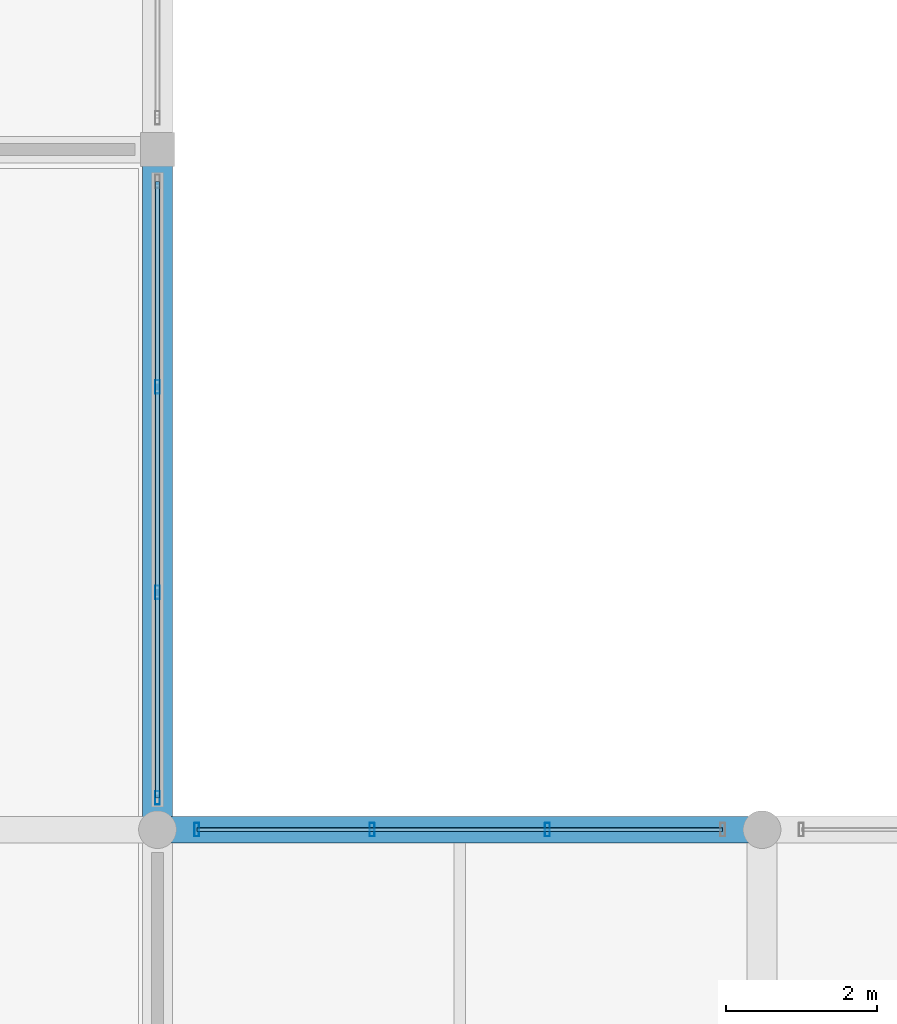
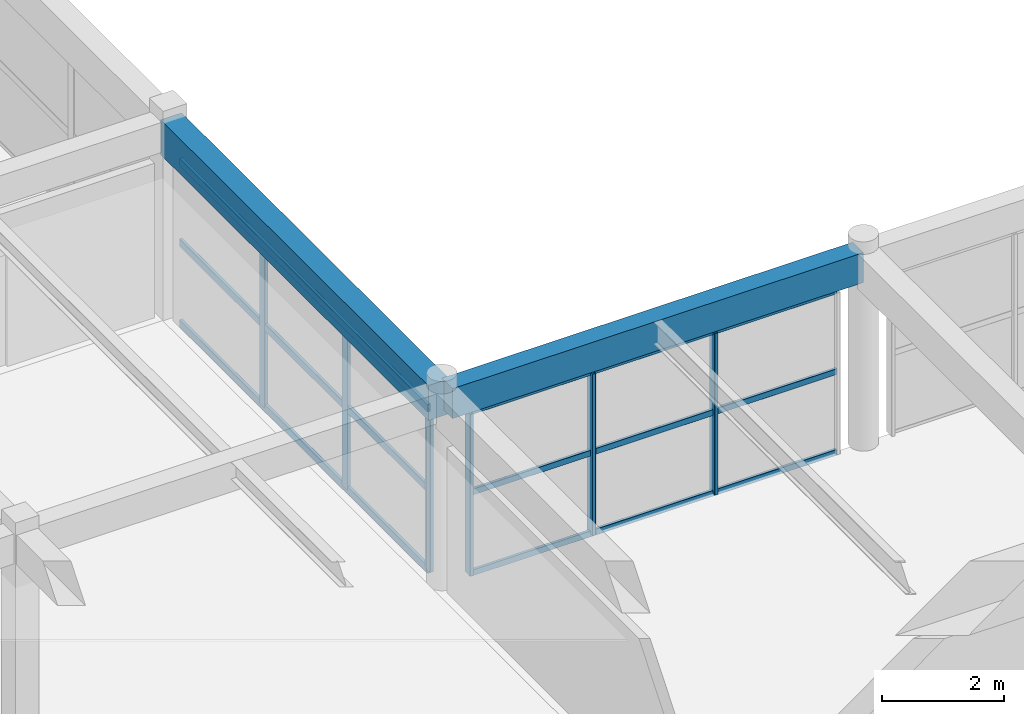
# One storey, part 43 of 126: 12 members, 2 beams, 2 elements without a shape of their own.
"""IFC4 building model written with IfcOpenShell, lengths in metres."""

from ifc_helpers import new_model, si_unit, direction, frame, origin, origin_2d, place, context, subcontext, project, spatial, rectangle, hollow_rectangle, extrude, material, material_profile, profile_set, type_object, element, aggregate, save


model = new_model("IFC4")

# Units and contexts
model_context = context("Model", 3, precision=1e-05, world=origin(), true_north=direction((0.0, 1.0)))
body_context = subcontext(model_context, "Body", "Model", "MODEL_VIEW")
ifc_project = project(units=[si_unit("LENGTHUNIT", "METRE"), si_unit("AREAUNIT", "SQUARE_METRE"), si_unit("VOLUMEUNIT", "CUBIC_METRE"), si_unit("PLANEANGLEUNIT", "RADIAN"), si_unit("MASSUNIT", "GRAM", prefix="KILO")], contexts=[model_context])

# Site, building, storey
site_placement = place(None, origin())
site = spatial("IfcSite", under=ifc_project, at=site_placement, CompositionType="ELEMENT")
building_placement = place(site_placement, origin())
building = spatial("IfcBuilding", under=site, at=building_placement, Name="Varnabhumi Central Station", CompositionType="ELEMENT")
storey_placement = place(building_placement, frame((0.0, 0.0, 16.199951171875)))
storey = spatial("IfcBuildingStorey", under=building, at=storey_placement, Name="L03", CompositionType="ELEMENT", Elevation=16.199951171875)

# Beams
ifc_material_1 = material(Name="Concrete M40", Category="concrete")
ifc_material_profile_1 = material_profile(ifc_material_1, rectangle(XDim=0.35009765625, YDim=0.60009765625, at=origin_2d()), Name="Concrete M40", Category="concrete")
ifc_profile_set_1 = profile_set([ifc_material_profile_1], Name="Concrete M40")
beam_type_1 = type_object("IfcBeamType", Name="BM-RC-350x600", PredefinedType="BEAM", material=ifc_profile_set_1)
beam_1_placement = place(storey_placement, frame((48.10009765625, 89.0, 3.650146484375), z_axis=(1.0, 0.0, 0.0), x_axis=(0.0, 1.0, 0.0)))
element("IfcBeam", 1, at=beam_1_placement, inside=storey, type_object=beam_type_1, Name="Beam L03-L:7-8", PredefinedType="BEAM", context=body_context, shape_type="SweptSolid", body=[
    extrude(rectangle(XDim=0.35009765625, YDim=0.60009765625, at=origin_2d()), origin(), (0.0, 0.0, 1.0), 7.7998046875),
])
ifc_material_profile_2 = material_profile(ifc_material_1, rectangle(XDim=0.39990234375, YDim=0.699951171875, at=origin_2d()), Name="Concrete M40", Category="concrete")
ifc_profile_set_2 = profile_set([ifc_material_profile_2], Name="Concrete M40")
beam_type_2 = type_object("IfcBeamType", Name="BM-RC-700x400", PredefinedType="BEAM", material=ifc_profile_set_2)
beam_2_placement = place(storey_placement, frame((48.0, 89.10009765625, 3.60009765625), z_axis=(0.0, 1.0, 0.0), x_axis=(-1.0, 0.0, 0.0)))
element("IfcBeam", 2, at=beam_2_placement, inside=storey, type_object=beam_type_2, Name="Beam L03-7:L-M", PredefinedType="BEAM", context=body_context, shape_type="SweptSolid", body=[
    extrude(rectangle(XDim=0.39990234375, YDim=0.699951171875, at=origin_2d()), origin(), (0.0, 0.0, 1.0), 8.7998046875),
])

# Curtain wall, members
ifc_material_2 = material(Name="Anodised aluminium 6063-T6", Category="aluminium")
curtain_wall_type = type_object("IfcCurtainWallType", Name="CW-PATIO-LOGGIA-L3", PredefinedType="NOTDEFINED", material=ifc_material_2)
curtain_wall_1_placement = place(storey_placement, origin())
curtain_wall_1 = element("IfcCurtainWall", 3, at=curtain_wall_1_placement, inside=storey, type_object=curtain_wall_type, Name="Curtain Wall CW-NP3E1", PredefinedType="NOTDEFINED")
ifc_material_profile_3 = material_profile(ifc_material_2, hollow_rectangle(XDim=0.06494140625, YDim=0.179931640625, WallThickness=0.00390625, InnerFilletRadius=0.001953125, OuterFilletRadius=0.006103515625, at=origin_2d()), Name="Anodised aluminium 6063-T6", Category="aluminium")
ifc_profile_set_3 = profile_set([ifc_material_profile_3], Name="Anodised aluminium 6063-T6")
member_type_1 = type_object("IfcMemberType", Name="CW-MUL-180", PredefinedType="MULLION", material=ifc_profile_set_3)
member_1_placement = place(storey_placement, frame((48.0, 89.419921875, 0.0), z_axis=(0.0, 0.0, 1.0), x_axis=(1.0, 0.0, 0.0)))
member_1 = element("IfcMember", 4, at=member_1_placement, type_object=member_type_1, Name="Curtain Wall Mullion CW-NP3E1-M1", PredefinedType="MULLION", context=body_context, shape_type="SweptSolid", body=[
    extrude(hollow_rectangle(XDim=0.06494140625, YDim=0.179931640625, WallThickness=0.00390625, InnerFilletRadius=0.001953125, OuterFilletRadius=0.006103515625, at=origin_2d()), origin(), (0.0, 0.0, 1.0), 3.239990234375),
])
member_2_placement = place(storey_placement, frame((48.0, 92.139892578125, 0.0), z_axis=(0.0, 0.0, 1.0), x_axis=(1.0, 0.0, 0.0)))
member_2 = element("IfcMember", 5, at=member_2_placement, type_object=member_type_1, Name="Curtain Wall Mullion CW-NP3E1-M2", PredefinedType="MULLION", context=body_context, shape_type="SweptSolid", body=[
    extrude(hollow_rectangle(XDim=0.06494140625, YDim=0.179931640625, WallThickness=0.00390625, InnerFilletRadius=0.001953125, OuterFilletRadius=0.006103515625, at=origin_2d()), origin(), (0.0, 0.0, 1.0), 3.239990234375),
])
member_3_placement = place(storey_placement, frame((48.0, 94.860107421875, 0.0), z_axis=(0.0, 0.0, 1.0), x_axis=(1.0, 0.0, 0.0)))
member_3 = element("IfcMember", 6, at=member_3_placement, type_object=member_type_1, Name="Curtain Wall Mullion CW-NP3E1-M3", PredefinedType="MULLION", context=body_context, shape_type="SweptSolid", body=[
    extrude(hollow_rectangle(XDim=0.06494140625, YDim=0.179931640625, WallThickness=0.00390625, InnerFilletRadius=0.001953125, OuterFilletRadius=0.006103515625, at=origin_2d()), origin(), (0.0, 0.0, 1.0), 3.239990234375),
])

curtain_wall_2_placement = place(storey_placement, origin())
curtain_wall_2 = element("IfcCurtainWall", 7, at=curtain_wall_2_placement, inside=storey, type_object=curtain_wall_type, Name="Curtain Wall CW-NP3S1", PredefinedType="NOTDEFINED")
member_4_placement = place(storey_placement, frame((48.52001953125, 89.0, 0.0), z_axis=(0.0, 0.0, 1.0), x_axis=(1.0, 0.0, 0.0)))
member_4 = element("IfcMember", 8, at=member_4_placement, type_object=member_type_1, Name="Curtain Wall Mullion CW-NP3S1-M1", PredefinedType="MULLION", context=body_context, shape_type="SweptSolid", body=[
    extrude(hollow_rectangle(XDim=0.06494140625, YDim=0.179931640625, WallThickness=0.00390625, InnerFilletRadius=0.001953125, OuterFilletRadius=0.006103515625, at=origin_2d()), origin(), (0.0, 0.0, 1.0), 3.239990234375),
])
member_5_placement = place(storey_placement, frame((50.840087890625, 89.0, 0.0), z_axis=(0.0, 0.0, 1.0), x_axis=(1.0, 0.0, 0.0)))
member_5 = element("IfcMember", 9, at=member_5_placement, type_object=member_type_1, Name="Curtain Wall Mullion CW-NP3S1-M2", PredefinedType="MULLION", context=body_context, shape_type="SweptSolid", body=[
    extrude(hollow_rectangle(XDim=0.06494140625, YDim=0.179931640625, WallThickness=0.00390625, InnerFilletRadius=0.001953125, OuterFilletRadius=0.006103515625, at=origin_2d()), origin(), (0.0, 0.0, 1.0), 3.239990234375),
])
member_6_placement = place(storey_placement, frame((53.159912109375, 89.0, 0.0), z_axis=(0.0, 0.0, 1.0), x_axis=(1.0, 0.0, 0.0)))
member_6 = element("IfcMember", 10, at=member_6_placement, type_object=member_type_1, Name="Curtain Wall Mullion CW-NP3S1-M3", PredefinedType="MULLION", context=body_context, shape_type="SweptSolid", body=[
    extrude(hollow_rectangle(XDim=0.06494140625, YDim=0.179931640625, WallThickness=0.00390625, InnerFilletRadius=0.001953125, OuterFilletRadius=0.006103515625, at=origin_2d()), origin(), (0.0, 0.0, 1.0), 3.239990234375),
])
ifc_material_profile_4 = material_profile(ifc_material_2, hollow_rectangle(XDim=0.054931640625, YDim=0.1201171875, WallThickness=0.00341796875, InnerFilletRadius=0.00146484375, OuterFilletRadius=0.0048828125, at=origin_2d()), Name="Anodised aluminium 6063-T6", Category="aluminium")
ifc_profile_set_4 = profile_set([ifc_material_profile_4], Name="Anodised aluminium 6063-T6")
member_type_2 = type_object("IfcMemberType", Name="CW-TR-120", PredefinedType="USERDEFINED", material=ifc_profile_set_4)
member_7_placement = place(storey_placement, frame((48.52001953125, 89.0, 0.0), z_axis=(1.0, 0.0, 0.0), x_axis=(0.0, 1.0, 0.0)))
member_7 = element("IfcMember", 11, at=member_7_placement, type_object=member_type_2, Name="Curtain Wall Transom CW-NP3S1-T1", ObjectType="TRANSOM", PredefinedType="USERDEFINED", context=body_context, shape_type="SweptSolid", body=[
    extrude(hollow_rectangle(XDim=0.054931640625, YDim=0.1201171875, WallThickness=0.00341796875, InnerFilletRadius=0.00146484375, OuterFilletRadius=0.0048828125, at=origin_2d()), origin(), (0.0, 0.0, 1.0), 6.9599609375),
])
member_8_placement = place(storey_placement, frame((48.52001953125, 89.0, 1.6201171875), z_axis=(1.0, 0.0, 0.0), x_axis=(0.0, 1.0, 0.0)))
member_8 = element("IfcMember", 12, at=member_8_placement, type_object=member_type_2, Name="Curtain Wall Transom CW-NP3S1-T2", ObjectType="TRANSOM", PredefinedType="USERDEFINED", context=body_context, shape_type="SweptSolid", body=[
    extrude(hollow_rectangle(XDim=0.054931640625, YDim=0.1201171875, WallThickness=0.00341796875, InnerFilletRadius=0.00146484375, OuterFilletRadius=0.0048828125, at=origin_2d()), origin(), (0.0, 0.0, 1.0), 6.9599609375),
])
member_9_placement = place(storey_placement, frame((48.52001953125, 89.0, 3.239990234375), z_axis=(1.0, 0.0, 0.0), x_axis=(0.0, 1.0, 0.0)))
member_9 = element("IfcMember", 13, at=member_9_placement, type_object=member_type_2, Name="Curtain Wall Transom CW-NP3S1-T3", ObjectType="TRANSOM", PredefinedType="USERDEFINED", context=body_context, shape_type="SweptSolid", body=[
    extrude(hollow_rectangle(XDim=0.054931640625, YDim=0.1201171875, WallThickness=0.00341796875, InnerFilletRadius=0.00146484375, OuterFilletRadius=0.0048828125, at=origin_2d()), origin(), (0.0, 0.0, 1.0), 6.9599609375),
])
aggregate(curtain_wall_2, [member_4, member_5, member_6, member_7, member_8, member_9])

# Member
ifc_material_profile_5 = material_profile(ifc_material_2, hollow_rectangle(XDim=0.06005859375, YDim=0.14990234375, WallThickness=0.00390625, InnerFilletRadius=0.001953125, OuterFilletRadius=0.006103515625, at=origin_2d()), Name="Anodised aluminium 6063-T6", Category="aluminium")
ifc_profile_set_5 = profile_set([ifc_material_profile_5], Name="Anodised aluminium 6063-T6")
member_type_3 = type_object("IfcMemberType", Name="CW-TR-150", PredefinedType="USERDEFINED", material=ifc_profile_set_5)
member_10_placement = place(storey_placement, frame((48.0, 89.419921875, 0.0), z_axis=(0.0, 1.0, 0.0), x_axis=(-1.0, 0.0, 0.0)))
member_10 = element("IfcMember", 14, at=member_10_placement, type_object=member_type_3, Name="Curtain Wall Transom CW-NP3E1-T1", ObjectType="TRANSOM", PredefinedType="USERDEFINED", context=body_context, shape_type="SweptSolid", body=[
    extrude(hollow_rectangle(XDim=0.06005859375, YDim=0.14990234375, WallThickness=0.00390625, InnerFilletRadius=0.001953125, OuterFilletRadius=0.006103515625, at=origin_2d()), origin(), (0.0, 0.0, 1.0), 8.16015625),
])

member_11_placement = place(storey_placement, frame((48.0, 89.419921875, 1.6201171875), z_axis=(0.0, 1.0, 0.0), x_axis=(-1.0, 0.0, 0.0)))
member_11 = element("IfcMember", 15, at=member_11_placement, type_object=member_type_3, Name="Curtain Wall Transom CW-NP3E1-T2", ObjectType="TRANSOM", PredefinedType="USERDEFINED", context=body_context, shape_type="SweptSolid", body=[
    extrude(hollow_rectangle(XDim=0.06005859375, YDim=0.14990234375, WallThickness=0.00390625, InnerFilletRadius=0.001953125, OuterFilletRadius=0.006103515625, at=origin_2d()), origin(), (0.0, 0.0, 1.0), 8.16015625),
])

member_12_placement = place(storey_placement, frame((48.0, 89.419921875, 3.239990234375), z_axis=(0.0, 1.0, 0.0), x_axis=(-1.0, 0.0, 0.0)))
member_12 = element("IfcMember", 16, at=member_12_placement, type_object=member_type_3, Name="Curtain Wall Transom CW-NP3E1-T3", ObjectType="TRANSOM", PredefinedType="USERDEFINED", context=body_context, shape_type="SweptSolid", body=[
    extrude(hollow_rectangle(XDim=0.06005859375, YDim=0.14990234375, WallThickness=0.00390625, InnerFilletRadius=0.001953125, OuterFilletRadius=0.006103515625, at=origin_2d()), origin(), (0.0, 0.0, 1.0), 8.16015625),
])

aggregate(curtain_wall_1, [member_1, member_2, member_3, member_10, member_11, member_12])

save(model, "model.ifc")
